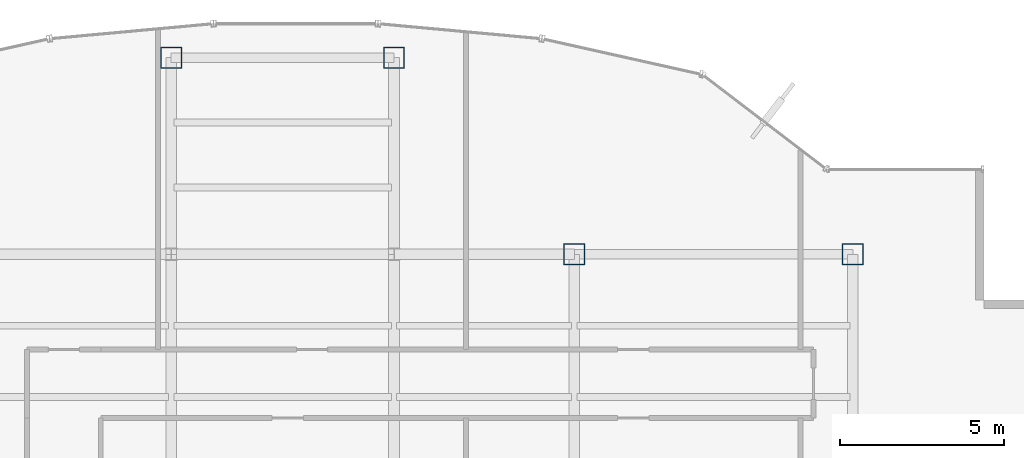
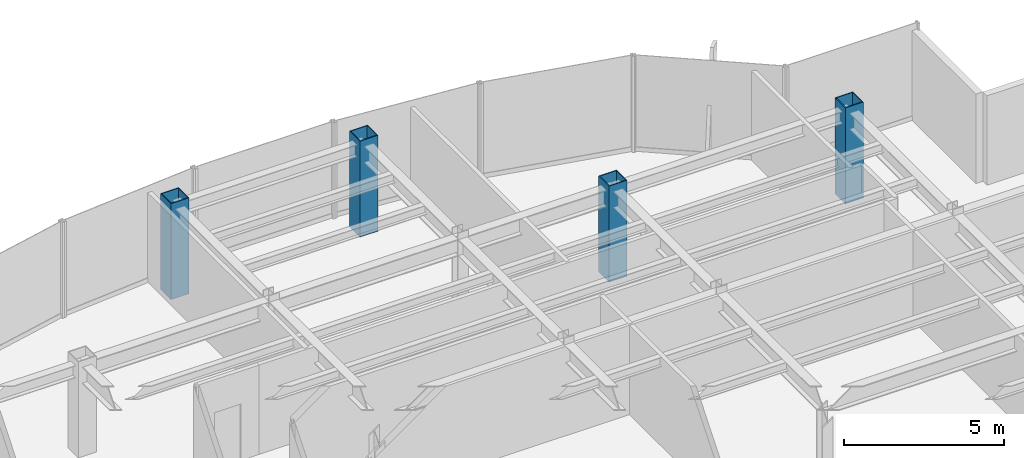
# One storey, part 2 of 25: 4 columns.
"""IFC4 building model written with IfcOpenShell, lengths in metres."""

from ifc_helpers import new_model, si_unit, derived_unit, direction, frame, origin, origin_2d, place, context, subcontext, project, spatial, hollow_rectangle, extrude, source, transform, mapped, material, material_profile, profile_set, type_object, element, save


model = new_model("IFC4")

# Units and contexts
model_context = context("Model", 3, precision=1e-05, world=origin(), true_north=direction((0.0, 1.0)))
body_context = subcontext(model_context, "Body", "Model", "MODEL_VIEW")
ifc_project = project(units=[si_unit("LENGTHUNIT", "METRE"), si_unit("AREAUNIT", "SQUARE_METRE"), si_unit("VOLUMEUNIT", "CUBIC_METRE"), si_unit("PLANEANGLEUNIT", "RADIAN"), si_unit("MASSUNIT", "GRAM", prefix="KILO"), derived_unit("THERMALTRANSMITTANCEUNIT", [(si_unit("POWERUNIT", "WATT"), 1), (si_unit("LENGTHUNIT", "METRE"), -2), (si_unit("THERMODYNAMICTEMPERATUREUNIT", "KELVIN"), -1)])], contexts=[model_context])

# Site, building, storey
site_placement = place(None, origin())
site = spatial("IfcSite", under=ifc_project, at=site_placement, CompositionType="ELEMENT")
building_placement = place(site_placement, origin())
building = spatial("IfcBuilding", under=site, at=building_placement, Name="Skarnbrae Concourse Arena and Tower", CompositionType="ELEMENT")
storey_placement = place(building_placement, frame((0.0, 0.0, 158.85009765625)))
storey = spatial("IfcBuildingStorey", under=building, at=storey_placement, Name="L40", CompositionType="ELEMENT", Elevation=158.85009765625)

# Columns
ifc_material = material(Name="Steel CSA G40.21 350W", Category="steel")
ifc_material_profile = material_profile(ifc_material, hollow_rectangle(XDim=0.64990234375, YDim=0.64990234375, WallThickness=0.031982421875, at=origin_2d()), Name="BOX650X650X32")
ifc_profile_set = profile_set([ifc_material_profile], Name="Steel CSA G40.21 350W")
column_type = type_object("IfcColumnType", Name="COL-TUBE-BOX650", PredefinedType="COLUMN", material=ifc_profile_set)
shared_shape = source(origin(), body_context, "Body", "SweptSolid", [
    extrude(hollow_rectangle(XDim=0.64990234375, YDim=0.64990234375, WallThickness=0.031982421875, at=origin_2d()), origin(), (0.0, 0.0, 1.0), 3.64990234375),
])
for number, where, z_axis, x_axis, name in (
    (1, (21.199951171875, 40.39990234375, 0.0), (0.0, 0.0, 1.0), (1.0, 0.0, 0.0), "L40 Tower column PC_04_06"),
    (2, (28.0, 40.39990234375, 0.0), (0.0, 0.0, 1.0), (1.0, 0.0, 0.0), "L40 Tower column PC_05_06"),
    (3, (33.5, 34.39990234375, 0.0), (0.0, 0.0, 1.0), (1.0, 0.0, 0.0), "L40 Tower column PC_06_05"),
    (4, (42.0, 34.39990234375, 0.0), (0.0, 0.0, 1.0), (1.0, 0.0, 0.0), "L40 Tower column PC_07_05"),
):
    element("IfcColumn", number, at=place(storey_placement, frame(where, z_axis=z_axis, x_axis=x_axis)), inside=storey, type_object=column_type, Name=name, PredefinedType="COLUMN", context=body_context, shape_type="MappedRepresentation", body=[
        mapped(shared_shape, transform((0.0, 0.0, 0.0))),
    ])

save(model, "model.ifc")
